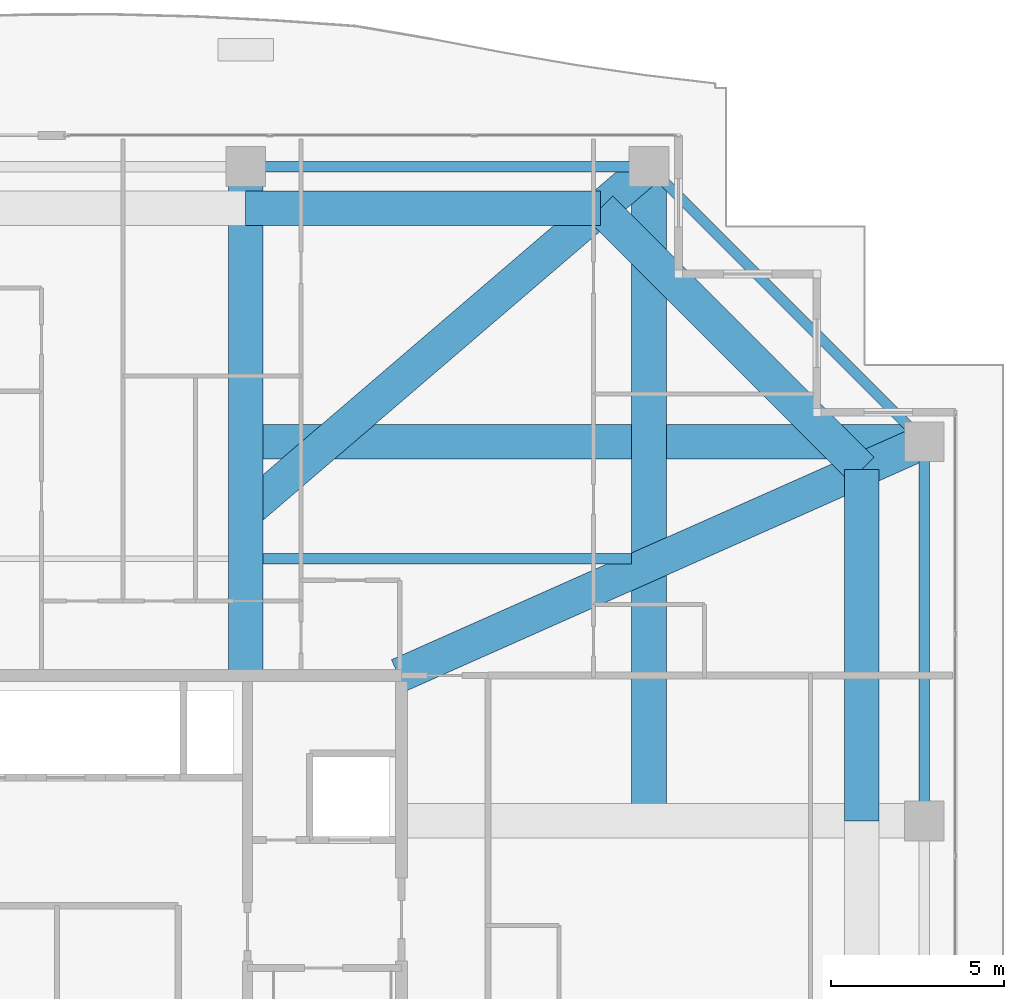
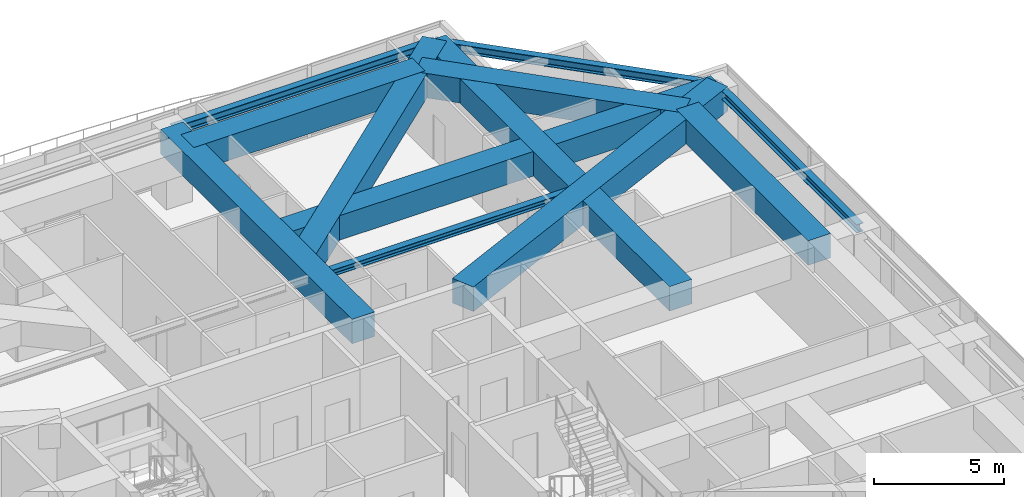
# One storey, part 24 of 39: 12 beams.
"""IFC4 building model written with IfcOpenShell, lengths in metres."""

from ifc_helpers import new_model, si_unit, direction, frame, origin, origin_2d, place, context, subcontext, project, spatial, rectangle, i_section, extrude, source, transform, mapped, material, material_profile, profile_set, type_object, element, save


model = new_model("IFC4")

# Units and contexts
model_context = context("Model", 3, precision=1e-05, world=origin(), true_north=direction((0.0, 1.0)))
body_context = subcontext(model_context, "Body", "Model", "MODEL_VIEW")
ifc_project = project(units=[si_unit("LENGTHUNIT", "METRE"), si_unit("AREAUNIT", "SQUARE_METRE"), si_unit("VOLUMEUNIT", "CUBIC_METRE"), si_unit("PLANEANGLEUNIT", "RADIAN"), si_unit("MASSUNIT", "GRAM", prefix="KILO")], contexts=[model_context])

# Site, building, storey
site_placement = place(None, origin())
site = spatial("IfcSite", under=ifc_project, at=site_placement, CompositionType="ELEMENT")
building_placement = place(site_placement, origin())
building = spatial("IfcBuilding", under=site, at=building_placement, Name="Serunith Strait Residences", CompositionType="ELEMENT")
storey_placement = place(building_placement, frame((0.0, 0.0, 283.60009765625)))
storey = spatial("IfcBuildingStorey", under=building, at=storey_placement, Name="L71", CompositionType="ELEMENT", Elevation=283.60009765625)

# Beams
ifc_material_1 = material(Name="Concrete C80/95", Category="concrete")
ifc_material_profile_1 = material_profile(ifc_material_1, rectangle(XDim=1.0, YDim=1.14990234375, at=origin_2d()), Name="RC 1000x1150")
ifc_profile_set_1 = profile_set([ifc_material_profile_1], Name="Concrete C80/95")
beam_type_1 = type_object("IfcBeamType", Name="BM-XFER-1000x1150", PredefinedType="BEAM", material=ifc_profile_set_1)
shared_shape_1 = source(origin(), body_context, "Body", "SweptSolid", [
    extrude(rectangle(XDim=1.0, YDim=1.14990234375, at=origin_2d()), origin(), (0.0, 0.0, 1.0), 14.699951171875),
])
beam_1_placement = place(storey_placement, frame((36.89990234375, 33.60009765625, 2.8349609375), z_axis=(0.0, 1.0, 0.0), x_axis=(-1.0, 0.0, 0.0)))
element("IfcBeam", 1, at=beam_1_placement, inside=storey, type_object=beam_type_1, Name="L71 Primary Floor Girder TC-N3", PredefinedType="BEAM", context=body_context, shape_type="MappedRepresentation", body=[
    mapped(shared_shape_1, transform((0.0, 0.0, 0.0), scale=1.0)),
])
shared_shape_2 = source(origin(), body_context, "Body", "SweptSolid", [
    extrude(rectangle(XDim=1.0, YDim=1.14990234375, at=origin_2d()), origin(), (0.0, 0.0, 1.0), 10.25),
])
beam_2_placement = place(storey_placement, frame((47.14990234375, 47.10009765625, 2.8349609375), z_axis=(-1.0, 0.0, 0.0), x_axis=(0.0, -1.0, 0.0)))
element("IfcBeam", 2, at=beam_2_placement, inside=storey, type_object=beam_type_1, Name="L71 Flare Upper Ring Transfer Girder 09", PredefinedType="BEAM", context=body_context, shape_type="MappedRepresentation", body=[
    mapped(shared_shape_2, transform((0.0, 0.0, 0.0), scale=1.0)),
])
shared_shape_3 = source(origin(), body_context, "Body", "SweptSolid", [
    extrude(rectangle(XDim=1.0, YDim=1.14990234375, at=origin_2d()), origin(), (0.0, 0.0, 1.0), 10.677490234375),
])
beam_3_placement = place(storey_placement, frame((54.699951171875, 39.550048828125, 2.8349609375), z_axis=(-0.707106781187, 0.707106781187, 0.0), x_axis=(-0.707106781187, -0.707106781187, 0.0)))
element("IfcBeam", 3, at=beam_3_placement, inside=storey, type_object=beam_type_1, Name="L71 Flare Upper Ring Transfer Girder 08", PredefinedType="BEAM", context=body_context, shape_type="MappedRepresentation", body=[
    mapped(shared_shape_3, transform((0.0, 0.0, 0.0), scale=1.0)),
])
shared_shape_4 = source(origin(), body_context, "Body", "SweptSolid", [
    extrude(rectangle(XDim=1.0, YDim=1.14990234375, at=origin_2d()), origin(), (0.0, 0.0, 1.0), 18.900146484375),
])
beam_4_placement = place(storey_placement, frame((48.550048828125, 29.39990234375, 2.8349609375), z_axis=(0.0, 1.0, 0.0), x_axis=(-1.0, 0.0, 0.0)))
element("IfcBeam", 4, at=beam_4_placement, inside=storey, type_object=beam_type_1, Name="L71 Orthogonal Corner Girder TC-N4", PredefinedType="BEAM", context=body_context, shape_type="MappedRepresentation", body=[
    mapped(shared_shape_4, transform((0.0, 0.0, 0.0), scale=1.0)),
])
shared_shape_5 = source(origin(), body_context, "Body", "SweptSolid", [
    extrude(rectangle(XDim=1.0, YDim=1.14990234375, at=origin_2d()), origin(), (0.0, 0.0, 1.0), 19.60009765625),
])
beam_5_placement = place(storey_placement, frame((36.89990234375, 40.35009765625, 2.8349609375), z_axis=(1.0, 0.0, 0.0), x_axis=(0.0, 1.0, 0.0)))
element("IfcBeam", 5, at=beam_5_placement, inside=storey, type_object=beam_type_1, Name="L71 Orthogonal Corner Girder TC-E4", PredefinedType="BEAM", context=body_context, shape_type="MappedRepresentation", body=[
    mapped(shared_shape_5, transform((0.0, 0.0, 0.0), scale=1.0)),
])
ifc_material_2 = material(Name="Steel S355J2", Category="steel")
ifc_material_profile_2 = material_profile(ifc_material_2, i_section(OverallWidth=0.300048828125, OverallDepth=0.39990234375, WebThickness=0.013427734375, FlangeThickness=0.02392578125, FilletRadius=0.027099609375, at=origin_2d()), Name="HEB 400")
ifc_profile_set_2 = profile_set([ifc_material_profile_2], Name="Steel S355J2")
beam_type_2 = type_object("IfcBeamType", Name="BM-HEB400", PredefinedType="BEAM", material=ifc_profile_set_2)
shared_shape_6 = source(origin(), body_context, "Body", "SweptSolid", [
    extrude(i_section(OverallWidth=0.300048828125, OverallDepth=0.39990234375, WebThickness=0.013427734375, FlangeThickness=0.02392578125, FilletRadius=0.027099609375, at=origin_2d()), origin(), (0.0, 0.0, 1.0), 11.650146484375),
])
beam_6_placement = place(storey_placement, frame((48.550048828125, 48.300048828125, 3.206787109375), z_axis=(-1.0, 0.0, 0.0), x_axis=(0.0, -1.0, 0.0)))
element("IfcBeam", 6, at=beam_6_placement, inside=storey, type_object=beam_type_2, Name="L71 Perimeter Ring Beam 09", PredefinedType="BEAM", context=body_context, shape_type="MappedRepresentation", body=[
    mapped(shared_shape_6, transform((0.0, 0.0, 0.0), scale=1.0)),
])
shared_shape_7 = source(origin(), body_context, "Body", "SweptSolid", [
    extrude(i_section(OverallWidth=0.300048828125, OverallDepth=0.39990234375, WebThickness=0.013427734375, FlangeThickness=0.02392578125, FilletRadius=0.027099609375, at=origin_2d()), origin(), (0.0, 0.0, 1.0), 11.242919921875),
])
beam_7_placement = place(storey_placement, frame((56.5, 40.35009765625, 3.206787109375), z_axis=(-0.707106781187, 0.707106781187, 0.0), x_axis=(-0.707106781187, -0.707106781187, 0.0)))
element("IfcBeam", 7, at=beam_7_placement, inside=storey, type_object=beam_type_2, Name="L71 Perimeter Ring Beam 08", PredefinedType="BEAM", context=body_context, shape_type="MappedRepresentation", body=[
    mapped(shared_shape_7, transform((0.0, 0.0, 0.0), scale=1.0)),
])
shared_shape_8 = source(origin(), body_context, "Body", "SweptSolid", [
    extrude(i_section(OverallWidth=0.300048828125, OverallDepth=0.39990234375, WebThickness=0.013427734375, FlangeThickness=0.02392578125, FilletRadius=0.027099609375, at=origin_2d()), origin(), (0.0, 0.0, 1.0), 10.9501953125),
])
beam_8_placement = place(storey_placement, frame((56.5, 29.39990234375, 3.206787109375), z_axis=(0.0, 1.0, 0.0), x_axis=(-1.0, 0.0, 0.0)))
element("IfcBeam", 8, at=beam_8_placement, inside=storey, type_object=beam_type_2, Name="L71 Perimeter Ring Beam 07", PredefinedType="BEAM", context=body_context, shape_type="MappedRepresentation", body=[
    mapped(shared_shape_8, transform((0.0, 0.0, 0.0), scale=1.0)),
])
shared_shape_9 = source(origin(), body_context, "Body", "SweptSolid", [
    extrude(rectangle(XDim=1.0, YDim=1.14990234375, at=origin_2d()), origin(), (0.0, 0.0, 1.0), 15.34423828125),
])
beam_9_placement = place(storey_placement, frame((48.550048828125, 48.300048828125, 2.8349609375), z_axis=(-0.759256602365, -0.650791373456, 0.0), x_axis=(0.650791373456, -0.759256602365, 0.0)))
element("IfcBeam", 9, at=beam_9_placement, inside=storey, type_object=beam_type_1, Name="L71 Diagonal Corner Transfer Girder TC-N4", PredefinedType="BEAM", context=body_context, shape_type="MappedRepresentation", body=[
    mapped(shared_shape_9, transform((0.0, 0.0, 0.0), scale=1.0)),
])
shared_shape_10 = source(origin(), body_context, "Body", "SweptSolid", [
    extrude(rectangle(XDim=1.0, YDim=1.14990234375, at=origin_2d()), origin(), (0.0, 0.0, 1.0), 16.619873046875),
])
beam_10_placement = place(storey_placement, frame((56.5, 40.35009765625, 2.8349609375), z_axis=(-0.91381154862, -0.406138466053, 0.0), x_axis=(0.406138466053, -0.91381154862, 0.0)))
element("IfcBeam", 10, at=beam_10_placement, inside=storey, type_object=beam_type_1, Name="L71 Diagonal Corner Transfer Girder TC-E4", PredefinedType="BEAM", context=body_context, shape_type="MappedRepresentation", body=[
    mapped(shared_shape_10, transform((0.0, 0.0, 0.0), scale=1.0)),
])
shared_shape_11 = source(origin(), body_context, "Body", "SweptSolid", [
    extrude(rectangle(XDim=1.0, YDim=1.14990234375, at=origin_2d()), origin(), (0.0, 0.0, 1.0), 10.150146484375),
])
beam_11_placement = place(storey_placement, frame((54.699951171875, 29.39990234375, 2.8349609375), z_axis=(0.0, 1.0, 0.0), x_axis=(-1.0, 0.0, 0.0)))
element("IfcBeam", 11, at=beam_11_placement, inside=storey, type_object=beam_type_1, Name="L71 Flare Upper Ring Transfer Girder 07", PredefinedType="BEAM", context=body_context, shape_type="MappedRepresentation", body=[
    mapped(shared_shape_11, transform((0.0, 0.0, 0.0), scale=1.0)),
])
ifc_material_profile_3 = material_profile(ifc_material_2, i_section(OverallWidth=0.300048828125, OverallDepth=0.300048828125, WebThickness=0.010986328125, FlangeThickness=0.01904296875, FilletRadius=0.027099609375, at=origin_2d()), Name="HEB 300")
ifc_profile_set_3 = profile_set([ifc_material_profile_3], Name="Steel S355J2")
beam_type_3 = type_object("IfcBeamType", Name="BM-HEB300", PredefinedType="JOIST", material=ifc_profile_set_3)
shared_shape_12 = source(origin(), body_context, "Body", "SweptSolid", [
    extrude(i_section(OverallWidth=0.300048828125, OverallDepth=0.300048828125, WebThickness=0.010986328125, FlangeThickness=0.01904296875, FilletRadius=0.027099609375, at=origin_2d()), origin(), (0.0, 0.0, 1.0), 10.650146484375),
])
beam_12_placement = place(storey_placement, frame((37.39990234375, 36.97509765625, 3.2568359375), z_axis=(1.0, 0.0, 0.0), x_axis=(0.0, 1.0, 0.0)))
element("IfcBeam", 12, at=beam_12_placement, inside=storey, type_object=beam_type_3, Name="L71 Composite Floor Joist 06", PredefinedType="JOIST", context=body_context, shape_type="MappedRepresentation", body=[
    mapped(shared_shape_12, transform((0.0, 0.0, 0.0), scale=1.0)),
])

save(model, "model.ifc")
